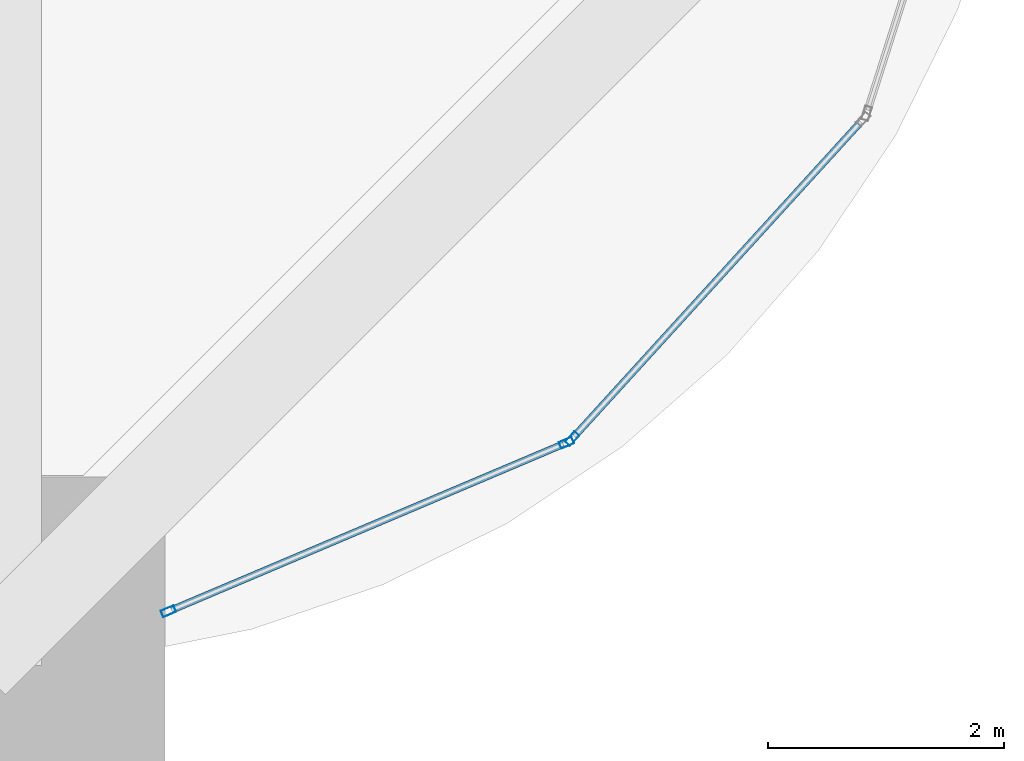
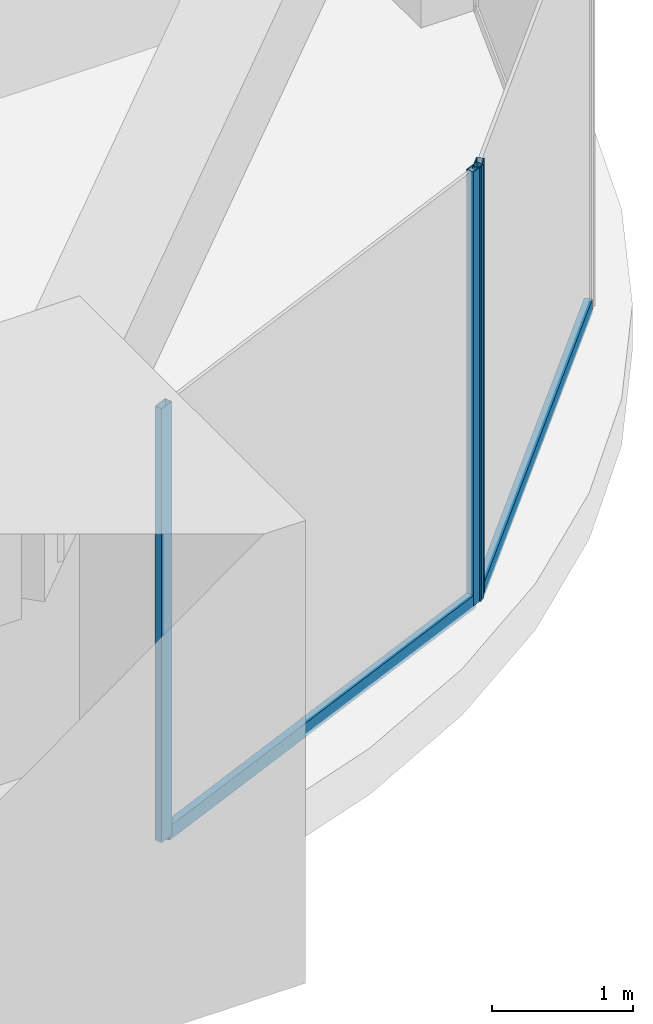
# One storey, part 16 of 40: 5 members, 2 elements without a shape of their own.
"""IFC4 building model written with IfcOpenShell, lengths in metres."""

from ifc_helpers import new_model, si_unit, direction, frame, origin, origin_2d, place, context, subcontext, project, spatial, hollow_rectangle, extrude, material, material_profile, profile_set, type_object, element, aggregate, save


model = new_model("IFC4")

# Units and contexts
model_context = context("Model", 3, precision=1e-05, world=origin(), true_north=direction((0.0, 1.0)))
body_context = subcontext(model_context, "Body", "Model", "MODEL_VIEW")
ifc_project = project(units=[si_unit("LENGTHUNIT", "METRE"), si_unit("AREAUNIT", "SQUARE_METRE"), si_unit("VOLUMEUNIT", "CUBIC_METRE"), si_unit("PLANEANGLEUNIT", "RADIAN"), si_unit("MASSUNIT", "GRAM", prefix="KILO")], contexts=[model_context])

# Site, building, storey
site_placement = place(None, origin())
site = spatial("IfcSite", under=ifc_project, at=site_placement, CompositionType="ELEMENT")
building_placement = place(site_placement, origin())
building = spatial("IfcBuilding", under=site, at=building_placement, Name="Zorevar Civic Tower", CompositionType="ELEMENT")
storey_placement = place(building_placement, frame((0.0, 0.0, 239.39990234375)))
storey = spatial("IfcBuildingStorey", under=building, at=storey_placement, Name="L58", CompositionType="ELEMENT", Elevation=239.39990234375)

# Curtain wall, members
ifc_material_1 = material(Name="Dark grey solar-control glass in black aluminium frame", Category="aluminium")
curtain_wall_type = type_object("IfcCurtainWallType", Name="Curtain wall CW5 top zone", PredefinedType="NOTDEFINED", material=ifc_material_1)
curtain_wall_1_placement = place(storey_placement, origin())
curtain_wall_1 = element("IfcCurtainWall", 1, at=curtain_wall_1_placement, inside=storey, type_object=curtain_wall_type, Name="CW5 L58", PredefinedType="NOTDEFINED")
ifc_material_2 = material(Name="Aluminium, black anodised", Category="aluminium")
ifc_material_profile_1 = material_profile(ifc_material_2, hollow_rectangle(XDim=0.06005859375, YDim=0.1201171875, WallThickness=0.0029296875, at=origin_2d()), Name="AL 120x60x3")
ifc_profile_set_1 = profile_set([ifc_material_profile_1], Name="Aluminium, black anodised")
member_type_1 = type_object("IfcMemberType", Name="CW5 mullion AL 120x60x3", PredefinedType="MULLION", material=ifc_profile_set_1)
member_1_placement = place(storey_placement, frame((46.627685546875, 0.460205078125, 0.0), z_axis=(0.0, 0.0, 1.0), x_axis=(-0.389965213734, 0.920829589054, 0.0)))
member_1 = element("IfcMember", 2, at=member_1_placement, type_object=member_type_1, Name="CW5 mullion 1", PredefinedType="MULLION", context=body_context, shape_type="SweptSolid", body=[
    extrude(hollow_rectangle(XDim=0.06005859375, YDim=0.1201171875, WallThickness=0.0029296875, at=origin_2d()), origin(), (0.0, 0.0, 1.0), 3.75),
])
member_2_placement = place(storey_placement, frame((50.00048828125, 1.888427734375, 0.0), z_axis=(0.0, 0.0, 1.0), x_axis=(-0.389965213734, 0.920829589054, 0.0)))
member_2 = element("IfcMember", 3, at=member_2_placement, type_object=member_type_1, Name="CW5 mullion 2", PredefinedType="MULLION", context=body_context, shape_type="SweptSolid", body=[
    extrude(hollow_rectangle(XDim=0.06005859375, YDim=0.1201171875, WallThickness=0.0029296875, at=origin_2d()), origin(), (0.0, 0.0, 1.0), 3.75),
])

# Curtain wall, member
curtain_wall_2_placement = place(storey_placement, origin())
curtain_wall_2 = element("IfcCurtainWall", 4, at=curtain_wall_2_placement, inside=storey, type_object=curtain_wall_type, Name="CW5 L58", PredefinedType="NOTDEFINED")
member_3_placement = place(storey_placement, frame((50.04833984375, 1.92236328125, 0.0), z_axis=(0.0, 0.0, 1.0), x_axis=(-0.739157439623, 0.673532686252, 0.0)))
member_3 = element("IfcMember", 5, at=member_3_placement, type_object=member_type_1, Name="CW5 mullion 1", PredefinedType="MULLION", context=body_context, shape_type="SweptSolid", body=[
    extrude(hollow_rectangle(XDim=0.06005859375, YDim=0.1201171875, WallThickness=0.0029296875, at=origin_2d()), origin(), (0.0, 0.0, 1.0), 3.75),
])

# Member
ifc_material_3 = material(Name="Aluminium, black anodised", Category="aluminium")
ifc_material_profile_2 = material_profile(ifc_material_3, hollow_rectangle(XDim=0.06005859375, YDim=0.1201171875, WallThickness=0.0029296875, at=origin_2d()), Name="AL 120x60x3")
ifc_profile_set_2 = profile_set([ifc_material_profile_2], Name="Aluminium, black anodised")
member_type_2 = type_object("IfcMemberType", Name="CW5 transom AL 120x60x3", PredefinedType="USERDEFINED", material=ifc_profile_set_2)
member_4_placement = place(storey_placement, frame((46.6552734375, 0.471923828125, 0.030029296875), z_axis=(0.920850301161, 0.389916302368, 0.0), x_axis=(-0.389916302368, 0.920850301161, 0.0)))
member_4 = element("IfcMember", 6, at=member_4_placement, type_object=member_type_2, Name="CW5 sill transom", ObjectType="TRANSOM", PredefinedType="USERDEFINED", context=body_context, shape_type="SweptSolid", body=[
    extrude(hollow_rectangle(XDim=0.06005859375, YDim=0.1201171875, WallThickness=0.0029296875, at=origin_2d()), origin(), (0.0, 0.0, 1.0), 3.602783203125),
])

aggregate(curtain_wall_1, [member_1, member_2, member_4])

member_5_placement = place(storey_placement, frame((50.068603515625, 1.944580078125, 0.030029296875), z_axis=(0.673512212278, 0.739176095334, 0.0), x_axis=(-0.739176095334, 0.673512212278, 0.0)))
member_5 = element("IfcMember", 7, at=member_5_placement, type_object=member_type_2, Name="CW5 sill transom", ObjectType="TRANSOM", PredefinedType="USERDEFINED", context=body_context, shape_type="SweptSolid", body=[
    extrude(hollow_rectangle(XDim=0.06005859375, YDim=0.1201171875, WallThickness=0.0029296875, at=origin_2d()), origin(), (0.0, 0.0, 1.0), 3.602783203125),
])

aggregate(curtain_wall_2, [member_3, member_5])

save(model, "model.ifc")
